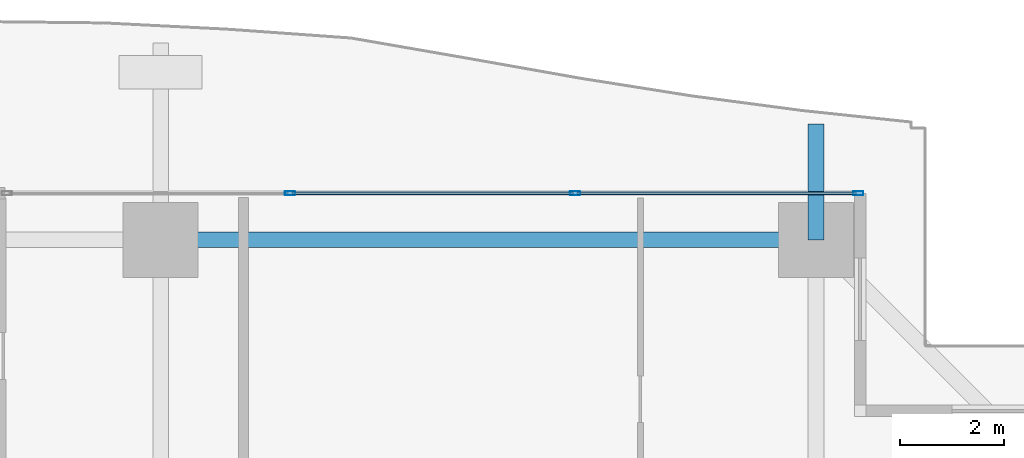
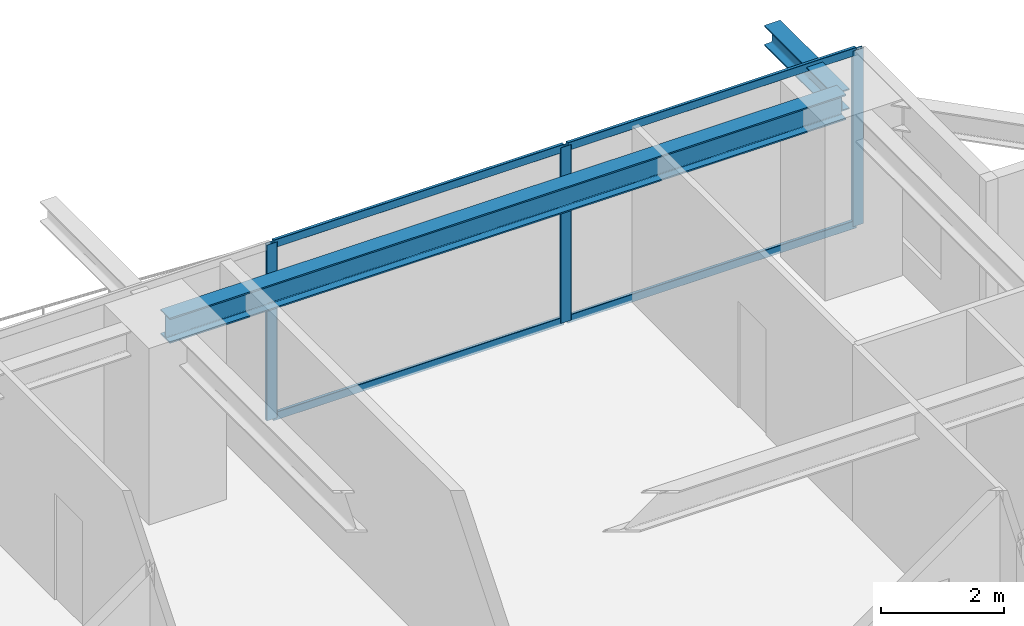
# One storey, part 24 of 37: 7 members, 2 beams, 1 element without a shape of its own.
"""IFC4 building model written with IfcOpenShell, lengths in metres."""

from ifc_helpers import new_model, si_unit, direction, frame, origin, origin_2d, place, context, subcontext, project, spatial, hollow_rectangle, i_section, extrude, source, transform, mapped, material, layer, layer_set, material_profile, profile_set, type_object, element, aggregate, save


model = new_model("IFC4")

# Units and contexts
model_context = context("Model", 3, precision=1e-05, world=origin(), true_north=direction((0.0, 1.0)))
body_context = subcontext(model_context, "Body", "Model", "MODEL_VIEW")
ifc_project = project(units=[si_unit("LENGTHUNIT", "METRE"), si_unit("AREAUNIT", "SQUARE_METRE"), si_unit("VOLUMEUNIT", "CUBIC_METRE"), si_unit("PLANEANGLEUNIT", "RADIAN"), si_unit("MASSUNIT", "GRAM", prefix="KILO")], contexts=[model_context])

# Site, building, storey
site_placement = place(None, origin())
site = spatial("IfcSite", under=ifc_project, at=site_placement, CompositionType="ELEMENT")
building_placement = place(site_placement, origin())
building = spatial("IfcBuilding", under=site, at=building_placement, Name="Serunith Strait Residences", CompositionType="ELEMENT")
storey_placement = place(building_placement, frame((0.0, 0.0, 34.199951171875)))
storey = spatial("IfcBuildingStorey", under=building, at=storey_placement, Name="L07", CompositionType="ELEMENT", Elevation=34.199951171875)

# Beams
ifc_material_1 = material(Name="Steel S355J2", Category="steel")
ifc_material_profile_1 = material_profile(ifc_material_1, i_section(OverallWidth=0.300048828125, OverallDepth=0.5, WebThickness=0.014404296875, FlangeThickness=0.028076171875, FilletRadius=0.027099609375, at=origin_2d()), Name="HEB 500")
ifc_profile_set_1 = profile_set([ifc_material_profile_1], Name="Steel S355J2")
beam_type_1 = type_object("IfcBeamType", Name="BM-HEB500", PredefinedType="BEAM", material=ifc_profile_set_1)
shared_shape_1 = source(origin(), body_context, "Body", "SweptSolid", [
    extrude(i_section(OverallWidth=0.300048828125, OverallDepth=0.5, WebThickness=0.014404296875, FlangeThickness=0.028076171875, FilletRadius=0.027099609375, at=origin_2d()), origin(), (0.0, 0.0, 1.0), 12.650146484375),
])
beam_1_placement = place(storey_placement, frame((49.550048828125, 49.300048828125, 3.237060546875), z_axis=(-1.0, 0.0, 0.0), x_axis=(0.0, -1.0, 0.0)))
element("IfcBeam", 1, at=beam_1_placement, inside=storey, type_object=beam_type_1, Name="L07 Perimeter Ring Beam 09", PredefinedType="BEAM", context=body_context, shape_type="MappedRepresentation", body=[
    mapped(shared_shape_1, transform((0.0, 0.0, 0.0), scale=1.0)),
])
ifc_material_profile_2 = material_profile(ifc_material_1, i_section(OverallWidth=0.300048828125, OverallDepth=0.39990234375, WebThickness=0.013427734375, FlangeThickness=0.02392578125, FilletRadius=0.027099609375, at=origin_2d()), Name="HEB 400")
ifc_profile_set_2 = profile_set([ifc_material_profile_2], Name="Steel S355J2")
beam_type_2 = type_object("IfcBeamType", Name="BM-HEB400", PredefinedType="BEAM", material=ifc_profile_set_2)
shared_shape_2 = source(origin(), body_context, "Body", "SweptSolid", [
    extrude(i_section(OverallWidth=0.300048828125, OverallDepth=0.39990234375, WebThickness=0.013427734375, FlangeThickness=0.02392578125, FilletRadius=0.027099609375, at=origin_2d()), origin(), (0.0, 0.0, 1.0), 2.239990234375),
])
beam_2_placement = place(storey_placement, frame((49.550048828125, 49.300048828125, 3.257080078125), z_axis=(0.0, 1.0, 0.0), x_axis=(-1.0, 0.0, 0.0)))
element("IfcBeam", 2, at=beam_2_placement, inside=storey, type_object=beam_type_2, Name="L08 Cantilevered Balcony Rib TC-N4", PredefinedType="BEAM", context=body_context, shape_type="MappedRepresentation", body=[
    mapped(shared_shape_2, transform((0.0, 0.0, 0.0), scale=1.0)),
])

# Curtain wall, members
ifc_material_2 = material(Name="Pale-Champagne Anodised Aluminium", Category="aluminium")
ifc_layer = layer(ifc_material_2, 0.199951171875, Name="Pale-Champagne Anodised Aluminium")
ifc_layer_set = layer_set([ifc_layer], Name="Pale-Champagne Anodised Aluminium")
curtain_wall_type = type_object("IfcCurtainWallType", Name="CW-SYS1", PredefinedType="NOTDEFINED", material=ifc_layer_set)
curtain_wall_placement = place(storey_placement, origin())
curtain_wall = element("IfcCurtainWall", 3, at=curtain_wall_placement, inside=storey, type_object=curtain_wall_type, Name="L07 N Unitised Fritted Curtain Wall", PredefinedType="NOTDEFINED")
ifc_material_profile_3 = material_profile(ifc_material_2, hollow_rectangle(XDim=0.070068359375, YDim=0.199951171875, WallThickness=0.00390625, InnerFilletRadius=0.006103515625, OuterFilletRadius=0.010009765625, at=origin_2d()), Name="ALU 200x70x4")
ifc_profile_set_3 = profile_set([ifc_material_profile_3], Name="Pale-Champagne Anodised Aluminium")
member_type_1 = type_object("IfcMemberType", Name="CW-SYS1-MULL", PredefinedType="MULLION", material=ifc_profile_set_3)
shared_shape_3 = source(origin(), body_context, "Body", "SweptSolid", [
    extrude(hollow_rectangle(XDim=0.070068359375, YDim=0.199951171875, WallThickness=0.00390625, InnerFilletRadius=0.006103515625, OuterFilletRadius=0.010009765625, at=origin_2d()), origin(), (0.0, 0.0, 1.0), 3.47509765625),
])
member_1_placement = place(storey_placement, frame((50.364990234375, 50.199951171875, 0.0), z_axis=(0.0, 0.0, 1.0), x_axis=(0.0, -1.0, 0.0)))
member_1 = element("IfcMember", 4, at=member_1_placement, type_object=member_type_1, Name="CW-1 mullion 1", PredefinedType="MULLION", context=body_context, shape_type="MappedRepresentation", body=[
    mapped(shared_shape_3, transform((0.0, 0.0, 0.0), scale=1.0)),
])
member_2_placement = place(storey_placement, frame((44.89990234375, 50.199951171875, 0.0), z_axis=(0.0, 0.0, 1.0), x_axis=(0.0, -1.0, 0.0)))
member_2 = element("IfcMember", 5, at=member_2_placement, type_object=member_type_1, Name="CW-1 mullion 2", PredefinedType="MULLION", context=body_context, shape_type="MappedRepresentation", body=[
    mapped(shared_shape_3, transform((0.0, 0.0, 0.0), scale=1.0)),
])
member_3_placement = place(storey_placement, frame((39.39990234375, 50.199951171875, 0.0), z_axis=(0.0, 0.0, 1.0), x_axis=(0.0, -1.0, 0.0)))
member_3 = element("IfcMember", 6, at=member_3_placement, type_object=member_type_1, Name="CW-1 mullion 3", PredefinedType="MULLION", context=body_context, shape_type="MappedRepresentation", body=[
    mapped(shared_shape_3, transform((0.0, 0.0, 0.0), scale=1.0)),
])
ifc_material_profile_4 = material_profile(ifc_material_2, hollow_rectangle(XDim=0.06005859375, YDim=0.159912109375, WallThickness=0.00341796875, InnerFilletRadius=0.00537109375, OuterFilletRadius=0.0087890625, at=origin_2d()), Name="ALU 160x60x3.5")
ifc_profile_set_4 = profile_set([ifc_material_profile_4], Name="Pale-Champagne Anodised Aluminium")
member_type_2 = type_object("IfcMemberType", Name="CW-SYS1-TRAN", PredefinedType="USERDEFINED", material=ifc_profile_set_4)
shared_shape_4 = source(origin(), body_context, "Body", "SweptSolid", [
    extrude(hollow_rectangle(XDim=0.06005859375, YDim=0.159912109375, WallThickness=0.00341796875, InnerFilletRadius=0.00537109375, OuterFilletRadius=0.0087890625, at=origin_2d()), origin(), (0.0, 0.0, 1.0), 5.39501953125),
])
member_4_placement = place(storey_placement, frame((50.330078125, 50.199951171875, 0.030029296875), z_axis=(-1.0, 0.0, 0.0), x_axis=(0.0, -1.0, 0.0)))
member_4 = element("IfcMember", 7, at=member_4_placement, type_object=member_type_2, Name="CW-1 transom 1.1", ObjectType="TRANSOM", PredefinedType="USERDEFINED", context=body_context, shape_type="MappedRepresentation", body=[
    mapped(shared_shape_4, transform((0.0, 0.0, 0.0), scale=1.0)),
])
member_5_placement = place(storey_placement, frame((50.330078125, 50.199951171875, 3.445068359375), z_axis=(-1.0, 0.0, 0.0), x_axis=(0.0, -1.0, 0.0)))
member_5 = element("IfcMember", 8, at=member_5_placement, type_object=member_type_2, Name="CW-1 transom 1.2", ObjectType="TRANSOM", PredefinedType="USERDEFINED", context=body_context, shape_type="MappedRepresentation", body=[
    mapped(shared_shape_4, transform((0.0, 0.0, 0.0), scale=1.0)),
])
shared_shape_5 = source(origin(), body_context, "Body", "SweptSolid", [
    extrude(hollow_rectangle(XDim=0.06005859375, YDim=0.159912109375, WallThickness=0.00341796875, InnerFilletRadius=0.00537109375, OuterFilletRadius=0.0087890625, at=origin_2d()), origin(), (0.0, 0.0, 1.0), 5.429931640625),
])
member_6_placement = place(storey_placement, frame((44.864990234375, 50.199951171875, 0.030029296875), z_axis=(-1.0, 0.0, 0.0), x_axis=(0.0, -1.0, 0.0)))
member_6 = element("IfcMember", 9, at=member_6_placement, type_object=member_type_2, Name="CW-1 transom 2.1", ObjectType="TRANSOM", PredefinedType="USERDEFINED", context=body_context, shape_type="MappedRepresentation", body=[
    mapped(shared_shape_5, transform((0.0, 0.0, 0.0), scale=1.0)),
])
member_7_placement = place(storey_placement, frame((44.864990234375, 50.199951171875, 3.445068359375), z_axis=(-1.0, 0.0, 0.0), x_axis=(0.0, -1.0, 0.0)))
member_7 = element("IfcMember", 10, at=member_7_placement, type_object=member_type_2, Name="CW-1 transom 2.2", ObjectType="TRANSOM", PredefinedType="USERDEFINED", context=body_context, shape_type="MappedRepresentation", body=[
    mapped(shared_shape_5, transform((0.0, 0.0, 0.0), scale=1.0)),
])
aggregate(curtain_wall, [member_1, member_2, member_3, member_4, member_5, member_6, member_7])

save(model, "model.ifc")
